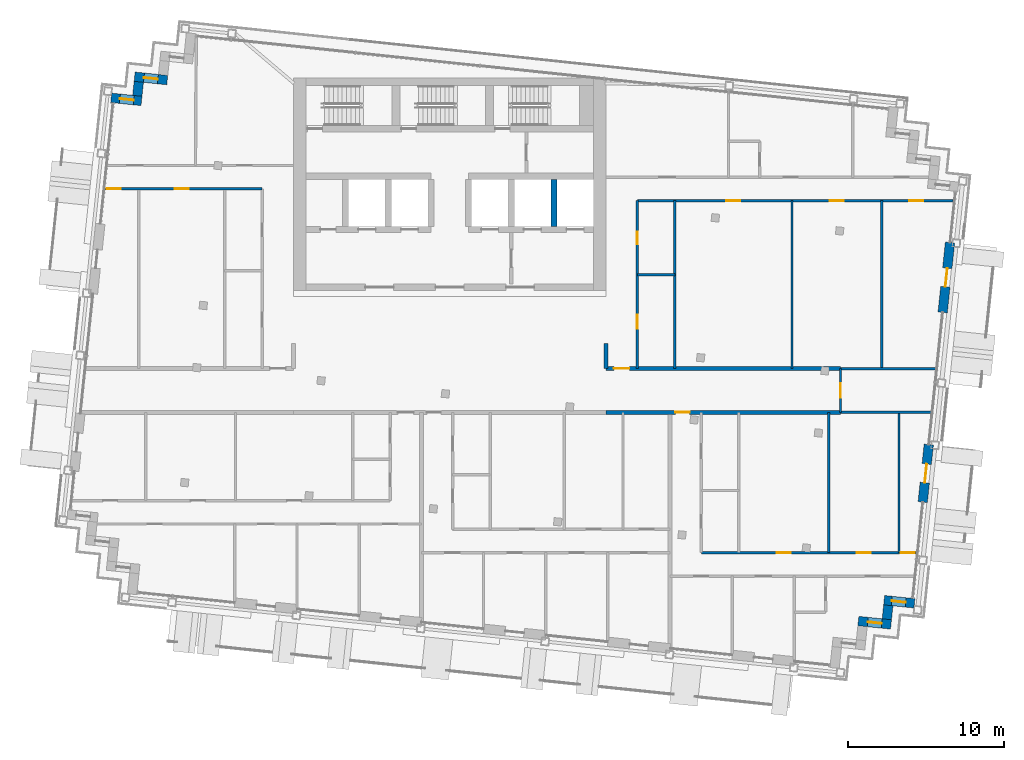
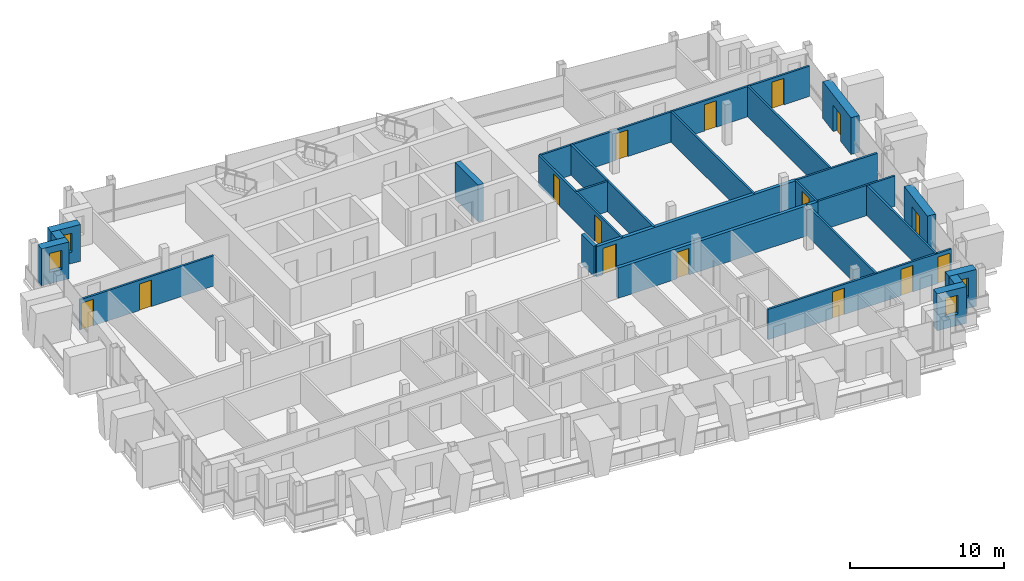
# One storey, part 11 of 17: 25 walls, 15 doors, 4 windows, 19 openings.
"""IFC4 building model written with IfcOpenShell, lengths in metres."""

from ifc_helpers import new_model, si_unit, direction, frame, frame_2d, origin, place, context, subcontext, project, spatial, rectangle, extrude, material, layer, layer_set, type_object, element, fill, save


model = new_model("IFC4")

# Units and contexts
model_context = context("Model", 3, precision=1e-05, world=origin(), true_north=direction((0.0, 1.0)))
body_context = subcontext(model_context, "Body", "Model", "MODEL_VIEW")
ifc_project = project(units=[si_unit("LENGTHUNIT", "METRE"), si_unit("AREAUNIT", "SQUARE_METRE"), si_unit("VOLUMEUNIT", "CUBIC_METRE"), si_unit("PLANEANGLEUNIT", "RADIAN"), si_unit("MASSUNIT", "GRAM", prefix="KILO")], contexts=[model_context])

# Site, building, storey
site_placement = place(None, origin())
site = spatial("IfcSite", under=ifc_project, at=site_placement, CompositionType="ELEMENT")
building_placement = place(site_placement, origin())
building = spatial("IfcBuilding", under=site, at=building_placement, Name="Vidyagriha Tower", CompositionType="ELEMENT")
storey_placement = place(building_placement, frame((0.0, 0.0, 269.10009765625)))
storey = spatial("IfcBuildingStorey", under=building, at=storey_placement, Name="L70", CompositionType="ELEMENT", Elevation=269.10009765625)

# Wall, opening, window
ifc_material_1 = material(Name="Precast concrete C40/50 with brick facing", Category="concrete")
ifc_layer_1 = layer(ifc_material_1, 0.60009765625)
ifc_layer_set_1 = layer_set([ifc_layer_1], Name="Precast concrete C40/50 with brick facing")
wall_type_1 = type_object("IfcWallType", Name="Brick-faced precast wall 600", PredefinedType="STANDARD", material=ifc_layer_set_1)
wall_1_placement = place(storey_placement, frame((-18.077392578125, 19.859130859375, 0.0), z_axis=(0.0, 0.0, 1.0), x_axis=(-0.994522640205, 0.104521376379, 0.0)))
wall_1 = element("IfcWall", 1, at=wall_1_placement, inside=storey, type_object=wall_type_1, Name="Stepped corner wall L70 R11", PredefinedType="STANDARD", context=body_context, shape_type="SweptSolid", body=[
    extrude(rectangle(XDim=2.099853515625, YDim=0.60009765625, at=frame_2d((1.0498046875, 0.0))), origin(), (0.0, 0.0, 1.0), 2.919921875),
])
opening_1_placement = place(wall_1_placement, frame((0.60009765625, 0.0, 0.89990234375)))
opening_1 = element("IfcOpeningElement", 2, at=opening_1_placement, cuts=wall_1, Name="Opening WN1", PredefinedType="OPENING", context=body_context, shape_type="SweptSolid", body=[
    extrude(rectangle(XDim=0.89990234375, YDim=1.5, at=frame_2d((0.449951171875, 0.75))), frame((0.0, 0.31005859375, 0.0), z_axis=(0.0, -1.0, 0.0), x_axis=(1.0, 0.0, 0.0)), (0.0, 0.0, 1.0), 0.6201171875),
])
ifc_material_2 = material(Name="Aluminium and glass window", Category="aluminium")
window_type = type_object("IfcWindowType", Name="Reveal window 900x1500", PartitioningType="NOTDEFINED", PredefinedType="WINDOW", material=ifc_material_2)
window_1_placement = place(opening_1_placement, origin())
window_1 = element("IfcWindow", 3, at=window_1_placement, inside=storey, type_object=window_type, Name="Reveal window L70 R11", OverallHeight=1.5, OverallWidth=0.89990234375, PartitioningType="SINGLE_PANEL", PredefinedType="WINDOW", context=body_context, shape_type="SweptSolid", body=[
    extrude(rectangle(XDim=0.89990234375, YDim=1.5, at=frame_2d((0.449951171875, 0.75))), frame((0.0, 0.030029296875, 0.0), z_axis=(0.0, -1.0, 0.0), x_axis=(1.0, 0.0, 0.0)), (0.0, 0.0, 1.0), 0.06005859375),
])
fill(opening_1, window_1)

# Wall
wall_2_placement = place(storey_placement, frame((-19.898681640625, 19.748779296875, 0.0), z_axis=(0.0, 0.0, 1.0), x_axis=(-0.104741284723, -0.994499503909, 0.0)))
element("IfcWall", 4, at=wall_2_placement, inside=storey, type_object=wall_type_1, Name="Stepped corner wall L70 R12", PredefinedType="STANDARD", context=body_context, shape_type="SweptSolid", body=[
    extrude(rectangle(XDim=0.899658203125, YDim=0.60009765625, at=frame_2d((0.44970703125, 0.0))), origin(), (0.0, 0.0, 1.0), 2.919921875),
])

# Wall, opening, window
wall_3_placement = place(storey_placement, frame((-19.725830078125, 18.5244140625, 0.0), z_axis=(0.0, 0.0, 1.0), x_axis=(-0.994534226826, 0.104411070641, 0.0)))
wall_3 = element("IfcWall", 5, at=wall_3_placement, inside=storey, type_object=wall_type_1, Name="Stepped corner wall L70 R13", PredefinedType="STANDARD", context=body_context, shape_type="SweptSolid", body=[
    extrude(rectangle(XDim=1.9501953125, YDim=0.60009765625, at=frame_2d((0.97509765625, 0.0))), origin(), (0.0, 0.0, 1.0), 2.919921875),
])
opening_2_placement = place(wall_3_placement, frame((0.489990234375, 0.0, 0.89990234375)))
opening_2 = element("IfcOpeningElement", 6, at=opening_2_placement, cuts=wall_3, Name="Opening WN1", PredefinedType="OPENING", context=body_context, shape_type="SweptSolid", body=[
    extrude(rectangle(XDim=0.89990234375, YDim=1.5, at=frame_2d((0.449951171875, 0.75))), frame((0.0, 0.31005859375, 0.0), z_axis=(0.0, -1.0, 0.0), x_axis=(1.0, 0.0, 0.0)), (0.0, 0.0, 1.0), 0.6201171875),
])
window_2_placement = place(opening_2_placement, origin())
window_2 = element("IfcWindow", 7, at=window_2_placement, inside=storey, type_object=window_type, Name="Reveal window L70 R13", OverallHeight=1.5, OverallWidth=0.89990234375, PartitioningType="SINGLE_PANEL", PredefinedType="WINDOW", context=body_context, shape_type="SweptSolid", body=[
    extrude(rectangle(XDim=0.89990234375, YDim=1.5, at=frame_2d((0.449951171875, 0.75))), frame((0.0, 0.030029296875, 0.0), z_axis=(0.0, -1.0, 0.0), x_axis=(1.0, 0.0, 0.0)), (0.0, 0.0, 1.0), 0.06005859375),
])
fill(opening_2, window_2)

wall_4_placement = place(storey_placement, frame((26.147216796875, -14.753173828125, 0.0), z_axis=(0.0, 0.0, 1.0), x_axis=(0.994522640205, -0.104521376379, 0.0)))
wall_4 = element("IfcWall", 8, at=wall_4_placement, inside=storey, type_object=wall_type_1, Name="Stepped corner wall L70 R25", PredefinedType="STANDARD", context=body_context, shape_type="SweptSolid", body=[
    extrude(rectangle(XDim=2.099853515625, YDim=0.60009765625, at=frame_2d((1.0498046875, 0.0))), origin(), (0.0, 0.0, 1.0), 2.919921875),
])
opening_3_placement = place(wall_4_placement, frame((0.599853515625, 0.0, 0.89990234375)))
opening_3 = element("IfcOpeningElement", 9, at=opening_3_placement, cuts=wall_4, Name="Opening WN1", PredefinedType="OPENING", context=body_context, shape_type="SweptSolid", body=[
    extrude(rectangle(XDim=0.89990234375, YDim=1.5, at=frame_2d((0.449951171875, 0.75))), frame((0.0, 0.31005859375, 0.0), z_axis=(0.0, -1.0, 0.0), x_axis=(1.0, 0.0, 0.0)), (0.0, 0.0, 1.0), 0.6201171875),
])
window_3_placement = place(opening_3_placement, origin())
window_3 = element("IfcWindow", 10, at=window_3_placement, inside=storey, type_object=window_type, Name="Reveal window L70 R25", OverallHeight=1.5, OverallWidth=0.89990234375, PartitioningType="SINGLE_PANEL", PredefinedType="WINDOW", context=body_context, shape_type="SweptSolid", body=[
    extrude(rectangle(XDim=0.89990234375, YDim=1.5, at=frame_2d((0.449951171875, 0.75))), frame((0.0, 0.030029296875, 0.0), z_axis=(0.0, -1.0, 0.0), x_axis=(1.0, 0.0, 0.0)), (0.0, 0.0, 1.0), 0.06005859375),
])
fill(opening_3, window_3)

# Wall
wall_5_placement = place(storey_placement, frame((27.968505859375, -14.64306640625, 0.0), z_axis=(0.0, 0.0, 1.0), x_axis=(0.104416541099, 0.994533652495, 0.0)))
element("IfcWall", 11, at=wall_5_placement, inside=storey, type_object=wall_type_1, Name="Stepped corner wall L70 R26", PredefinedType="STANDARD", context=body_context, shape_type="SweptSolid", body=[
    extrude(rectangle(XDim=0.900146484375, YDim=0.60009765625, at=frame_2d((0.4501953125, 0.0))), origin(), (0.0, 0.0, 1.0), 2.919921875),
])

# Wall, opening, window
wall_6_placement = place(storey_placement, frame((27.795654296875, -13.418212890625, 0.0), z_axis=(0.0, 0.0, 1.0), x_axis=(0.994519850893, -0.104547913319, 0.0)))
wall_6 = element("IfcWall", 12, at=wall_6_placement, inside=storey, type_object=wall_type_1, Name="Stepped corner wall L70 R27", PredefinedType="STANDARD", context=body_context, shape_type="SweptSolid", body=[
    extrude(rectangle(XDim=1.949951171875, YDim=0.60009765625, at=frame_2d((0.97509765625, 0.0))), origin(), (0.0, 0.0, 1.0), 2.919921875),
])
opening_4_placement = place(wall_6_placement, frame((0.489990234375, 0.0, 0.89990234375)))
opening_4 = element("IfcOpeningElement", 13, at=opening_4_placement, cuts=wall_6, Name="Opening WN1", PredefinedType="OPENING", context=body_context, shape_type="SweptSolid", body=[
    extrude(rectangle(XDim=0.89990234375, YDim=1.5, at=frame_2d((0.449951171875, 0.75))), frame((0.0, 0.31005859375, 0.0), z_axis=(0.0, -1.0, 0.0), x_axis=(1.0, 0.0, 0.0)), (0.0, 0.0, 1.0), 0.6201171875),
])
window_4_placement = place(opening_4_placement, origin())
window_4 = element("IfcWindow", 14, at=window_4_placement, inside=storey, type_object=window_type, Name="Reveal window L70 R27", OverallHeight=1.5, OverallWidth=0.89990234375, PartitioningType="SINGLE_PANEL", PredefinedType="WINDOW", context=body_context, shape_type="SweptSolid", body=[
    extrude(rectangle(XDim=0.89990234375, YDim=1.5, at=frame_2d((0.449951171875, 0.75))), frame((0.0, 0.030029296875, 0.0), z_axis=(0.0, -1.0, 0.0), x_axis=(1.0, 0.0, 0.0)), (0.0, 0.0, 1.0), 0.06005859375),
])
fill(opening_4, window_4)

# Wall, opening, door
wall_7_placement = place(storey_placement, frame((30.26513671875, -7.14208984375, 0.0), z_axis=(0.0, 0.0, 1.0), x_axis=(0.104513052986, 0.994523514933, 0.0)))
wall_7 = element("IfcWall", 15, at=wall_7_placement, inside=storey, type_object=wall_type_1, Name="Brick door bay wall L70 R28.3", PredefinedType="STANDARD", context=body_context, shape_type="SweptSolid", body=[
    extrude(rectangle(XDim=3.7001953125, YDim=0.60009765625, at=frame_2d((1.85009765625, 0.0))), origin(), (0.0, 0.0, 1.0), 2.919921875),
])
opening_5_placement = place(wall_7_placement, frame((1.25, 0.0, 0.0)))
opening_5 = element("IfcOpeningElement", 16, at=opening_5_placement, cuts=wall_7, Name="Opening D70-65", PredefinedType="OPENING", context=body_context, shape_type="SweptSolid", body=[
    extrude(rectangle(XDim=1.199951171875, YDim=2.10009765625, at=frame_2d((0.60009765625, 1.050048828125))), frame((0.0, 0.31005859375, 0.0), z_axis=(0.0, -1.0, 0.0), x_axis=(1.0, 0.0, 0.0)), (0.0, 0.0, 1.0), 0.6201171875),
])
ifc_material_3 = material(Name="Aluminium framed glazed sliding door", Category="aluminium")
door_type_1 = type_object("IfcDoorType", Name="Balcony sliding door 1200x2100", OperationType="NOTDEFINED", PredefinedType="DOOR", material=ifc_material_3)
door_1_placement = place(opening_5_placement, origin())
door_1 = element("IfcDoor", 17, at=door_1_placement, inside=storey, type_object=door_type_1, Name="Door D70-65", OperationType="SLIDING_TO_LEFT", OverallHeight=2.10009765625, OverallWidth=1.199951171875, PredefinedType="DOOR", context=body_context, shape_type="SweptSolid", body=[
    extrude(rectangle(XDim=1.199951171875, YDim=2.10009765625, at=frame_2d((0.60009765625, 1.050048828125))), frame((0.0, 0.02490234375, 0.0), z_axis=(0.0, -1.0, 0.0), x_axis=(1.0, 0.0, 0.0)), (0.0, 0.0, 1.0), 0.050048828125),
])
fill(opening_5, door_1)

wall_8_placement = place(storey_placement, frame((31.540283203125, 4.9912109375, 0.0), z_axis=(0.0, 0.0, 1.0), x_axis=(0.104546400045, 0.994520009974, 0.0)))
wall_8 = element("IfcWall", 18, at=wall_8_placement, inside=storey, type_object=wall_type_1, Name="Brick door bay wall L70 R28.6", PredefinedType="STANDARD", context=body_context, shape_type="SweptSolid", body=[
    extrude(rectangle(XDim=4.5, YDim=0.60009765625, at=frame_2d((2.25, 0.0))), origin(), (0.0, 0.0, 1.0), 2.919921875),
])
opening_6_placement = place(wall_8_placement, frame((1.64990234375, 0.0, 0.0)))
opening_6 = element("IfcOpeningElement", 19, at=opening_6_placement, cuts=wall_8, Name="Opening D70-66", PredefinedType="OPENING", context=body_context, shape_type="SweptSolid", body=[
    extrude(rectangle(XDim=1.199951171875, YDim=2.10009765625, at=frame_2d((0.60009765625, 1.050048828125))), frame((0.0, 0.31005859375, 0.0), z_axis=(0.0, -1.0, 0.0), x_axis=(1.0, 0.0, 0.0)), (0.0, 0.0, 1.0), 0.6201171875),
])
door_2_placement = place(opening_6_placement, origin())
door_2 = element("IfcDoor", 20, at=door_2_placement, inside=storey, type_object=door_type_1, Name="Door D70-66", OperationType="SLIDING_TO_LEFT", OverallHeight=2.10009765625, OverallWidth=1.199951171875, PredefinedType="DOOR", context=body_context, shape_type="SweptSolid", body=[
    extrude(rectangle(XDim=1.199951171875, YDim=2.10009765625, at=frame_2d((0.60009765625, 1.050048828125))), frame((0.0, 0.02490234375, 0.0), z_axis=(0.0, -1.0, 0.0), x_axis=(1.0, 0.0, 0.0)), (0.0, 0.0, 1.0), 0.050048828125),
])
fill(opening_6, door_2)

# Wall
ifc_material_4 = material(Name="Concrete C60/75", Category="concrete")
ifc_layer_2 = layer(ifc_material_4, 0.39990234375)
ifc_layer_set_2 = layer_set([ifc_layer_2], Name="Concrete C60/75")
wall_type_2 = type_object("IfcWallType", Name="Core shear wall 400 mm", PredefinedType="SHEAR", material=ifc_layer_set_2)
wall_9_placement = place(storey_placement, frame((6.666748046875, 10.5, 0.0), z_axis=(0.0, 0.0, 1.0), x_axis=(0.0, 1.0, 0.0)))
element("IfcWall", 21, at=wall_9_placement, inside=storey, type_object=wall_type_2, Name="Core bay wall N6", PredefinedType="SHEAR", context=body_context, shape_type="SweptSolid", body=[
    extrude(rectangle(XDim=3.0, YDim=0.39990234375, at=frame_2d((1.5, 0.0))), origin(), (0.0, 0.0, 1.0), 2.919921875),
])

# Wall, opening, door
ifc_material_5 = material(Name="Fired clay brick masonry", Category="masonry")
ifc_layer_3 = layer(ifc_material_5, 0.25)
ifc_layer_set_3 = layer_set([ifc_layer_3], Name="Fired clay brick masonry")
wall_type_3 = type_object("IfcWallType", Name="Fired clay brick corridor wall 250", PredefinedType="PARTITIONING", material=ifc_layer_set_3)
wall_10_placement = place(storey_placement, frame((25.0, -1.39990234375, 0.0), z_axis=(0.0, 0.0, 1.0), x_axis=(-1.0, 0.0, 0.0)))
wall_10 = element("IfcWall", 22, at=wall_10_placement, inside=storey, type_object=wall_type_3, Name="Wall all-L70-w065", PredefinedType="PARTITIONING", context=body_context, shape_type="SweptSolid", body=[
    extrude(rectangle(XDim=15.0, YDim=0.25, at=frame_2d((7.5, 0.0))), origin(), (0.0, 0.0, 1.0), 2.39990234375),
])
opening_7_placement = place(wall_10_placement, frame((9.657958984375, 0.0, 0.0)))
opening_7 = element("IfcOpeningElement", 23, at=opening_7_placement, cuts=wall_10, Name="Opening D70-39", PredefinedType="OPENING", context=body_context, shape_type="SweptSolid", body=[
    extrude(rectangle(XDim=0.89990234375, YDim=2.10009765625, at=frame_2d((0.449951171875, 1.050048828125))), frame((0.0, 0.135009765625, 0.0), z_axis=(0.0, -1.0, 0.0), x_axis=(1.0, 0.0, 0.0)), (0.0, 0.0, 1.0), 0.27001953125),
])
ifc_material_6 = material(Name="Fire-rated timber door leaf EI 60", Category="wood")
door_type_2 = type_object("IfcDoorType", Name="Flat entrance fire door 900x2100", OperationType="NOTDEFINED", PredefinedType="DOOR", material=ifc_material_6)
door_3_placement = place(opening_7_placement, origin())
door_3 = element("IfcDoor", 24, at=door_3_placement, inside=storey, type_object=door_type_2, Name="Door D70-39", OperationType="SINGLE_SWING_RIGHT", OverallHeight=2.10009765625, OverallWidth=0.89990234375, PredefinedType="DOOR", context=body_context, shape_type="SweptSolid", body=[
    extrude(rectangle(XDim=0.89990234375, YDim=2.10009765625, at=frame_2d((0.449951171875, 1.050048828125))), frame((0.0, 0.02490234375, 0.0), z_axis=(0.0, -1.0, 0.0), x_axis=(1.0, 0.0, 0.0)), (0.0, 0.0, 1.0), 0.050048828125),
])
fill(opening_7, door_3)

wall_11_placement = place(storey_placement, frame((10.0, 1.39990234375, 0.0)))
wall_11 = element("IfcWall", 25, at=wall_11_placement, inside=storey, type_object=wall_type_3, Name="Wall all-L70-w103", PredefinedType="PARTITIONING", context=body_context, shape_type="SweptSolid", body=[
    extrude(rectangle(XDim=15.0, YDim=0.25, at=frame_2d((7.5, 0.0))), origin(), (0.0, 0.0, 1.0), 2.39990234375),
])
opening_8_placement = place(wall_11_placement, frame((0.5, 0.0, 0.0)))
opening_8 = element("IfcOpeningElement", 26, at=opening_8_placement, cuts=wall_11, Name="Opening D70-56", PredefinedType="OPENING", context=body_context, shape_type="SweptSolid", body=[
    extrude(rectangle(XDim=1.0, YDim=2.10009765625, at=frame_2d((0.5, 1.050048828125))), frame((0.0, 0.135009765625, 0.0), z_axis=(0.0, -1.0, 0.0), x_axis=(1.0, 0.0, 0.0)), (0.0, 0.0, 1.0), 0.27001953125),
])
ifc_material_7 = material(Name="Fire-rated timber door leaf EI 60", Category="wood")
door_type_3 = type_object("IfcDoorType", Name="Flat entrance fire door 1000x2100", OperationType="NOTDEFINED", PredefinedType="DOOR", material=ifc_material_7)
door_4_placement = place(opening_8_placement, origin())
door_4 = element("IfcDoor", 27, at=door_4_placement, inside=storey, type_object=door_type_3, Name="Door D70-56", OperationType="SINGLE_SWING_LEFT", OverallHeight=2.10009765625, OverallWidth=1.0, PredefinedType="DOOR", context=body_context, shape_type="SweptSolid", body=[
    extrude(rectangle(XDim=1.0, YDim=2.10009765625, at=frame_2d((0.5, 1.050048828125))), frame((0.0, 0.02490234375, 0.0), z_axis=(0.0, -1.0, 0.0), x_axis=(1.0, 0.0, 0.0)), (0.0, 0.0, 1.0), 0.050048828125),
])
fill(opening_8, door_4)

# Walls
wall_12_placement = place(storey_placement, frame((10.0, 1.39990234375, 0.0), z_axis=(0.0, 0.0, 1.0), x_axis=(0.0, 1.0, 0.0)))
element("IfcWall", 28, at=wall_12_placement, inside=storey, type_object=wall_type_3, Name="Wall all-L70-w109", PredefinedType="PARTITIONING", context=body_context, shape_type="SweptSolid", body=[
    extrude(rectangle(XDim=1.60009765625, YDim=0.25, at=frame_2d((0.800048828125, 0.0))), origin(), (0.0, 0.0, 1.0), 2.39990234375),
])
ifc_material_8 = material(Name="Gypsum board partition")
ifc_layer_4 = layer(ifc_material_8, 0.14990234375)
ifc_layer_set_4 = layer_set([ifc_layer_4], Name="Gypsum board partition")
wall_type_4 = type_object("IfcWallType", Name="Gypsum board partition 150", PredefinedType="PARTITIONING", material=ifc_layer_set_4)
for number, where, z_axis, x_axis, name in (
    (29, (24.248046875, -1.39990234375, 0.0), (0.0, 0.0, 1.0), (0.0, -1.0, 0.0), "Wall all-L70-w047"),
    (30, (28.748046875, -1.39990234375, 0.0), (0.0, 0.0, 1.0), (0.0, -1.0, 0.0), "Wall all-L70-w048"),
):
    element("IfcWall", number, at=place(storey_placement, frame(where, z_axis=z_axis, x_axis=x_axis)), inside=storey, type_object=wall_type_4, Name=name, PredefinedType="PARTITIONING", context=body_context, shape_type="SweptSolid", body=[
        extrude(rectangle(XDim=8.981689453125, YDim=0.14990234375, at=frame_2d((4.49072265625, 0.0))), origin(), (0.0, 0.0, 1.0), 2.39990234375),
    ])

# Wall, openings, doors
wall_13_placement = place(storey_placement, frame((16.097900390625, -10.381591796875, 0.0)))
wall_13 = element("IfcWall", 31, at=wall_13_placement, inside=storey, type_object=wall_type_4, Name="Wall all-L70-w049", PredefinedType="PARTITIONING", context=body_context, shape_type="SweptSolid", body=[
    extrude(rectangle(XDim=13.747314453125, YDim=0.14990234375, at=frame_2d((6.87353515625, 0.0))), origin(), (0.0, 0.0, 1.0), 2.39990234375),
])
opening_9_placement = place(wall_13_placement, frame((4.824951171875, 0.0, 0.0)))
opening_9 = element("IfcOpeningElement", 32, at=opening_9_placement, cuts=wall_13, Name="Opening D70-32", PredefinedType="OPENING", context=body_context, shape_type="SweptSolid", body=[
    extrude(rectangle(XDim=0.89990234375, YDim=2.10009765625, at=frame_2d((0.449951171875, 1.050048828125))), frame((0.0, 0.0849609375, 0.0), z_axis=(0.0, -1.0, 0.0), x_axis=(1.0, 0.0, 0.0)), (0.0, 0.0, 1.0), 0.169921875),
])
opening_10_placement = place(wall_13_placement, frame((9.949951171875, 0.0, 0.0)))
opening_10 = element("IfcOpeningElement", 33, at=opening_10_placement, cuts=wall_13, Name="Opening D70-33", PredefinedType="OPENING", context=body_context, shape_type="SweptSolid", body=[
    extrude(rectangle(XDim=0.89990234375, YDim=2.10009765625, at=frame_2d((0.449951171875, 1.050048828125))), frame((0.0, 0.0849609375, 0.0), z_axis=(0.0, -1.0, 0.0), x_axis=(1.0, 0.0, 0.0)), (0.0, 0.0, 1.0), 0.169921875),
])
opening_11_placement = place(wall_13_placement, frame((12.747314453125, 0.0, 0.0)))
opening_11 = element("IfcOpeningElement", 34, at=opening_11_placement, cuts=wall_13, Name="Opening D70-34", PredefinedType="OPENING", context=body_context, shape_type="SweptSolid", body=[
    extrude(rectangle(XDim=0.89990234375, YDim=2.10009765625, at=frame_2d((0.449951171875, 1.050048828125))), frame((0.0, 0.0849609375, 0.0), z_axis=(0.0, -1.0, 0.0), x_axis=(1.0, 0.0, 0.0)), (0.0, 0.0, 1.0), 0.169921875),
])
ifc_material_9 = material(Name="Timber door leaf", Category="wood")
door_type_4 = type_object("IfcDoorType", Name="Room door 900x2100", OperationType="NOTDEFINED", PredefinedType="DOOR", material=ifc_material_9)
door_5_placement = place(opening_9_placement, origin())
door_5 = element("IfcDoor", 35, at=door_5_placement, inside=storey, type_object=door_type_4, Name="Door D70-32", OperationType="SINGLE_SWING_RIGHT", OverallHeight=2.10009765625, OverallWidth=0.89990234375, PredefinedType="DOOR", context=body_context, shape_type="SweptSolid", body=[
    extrude(rectangle(XDim=0.89990234375, YDim=2.10009765625, at=frame_2d((0.449951171875, 1.050048828125))), frame((0.0, 0.02490234375, 0.0), z_axis=(0.0, -1.0, 0.0), x_axis=(1.0, 0.0, 0.0)), (0.0, 0.0, 1.0), 0.050048828125),
])
fill(opening_9, door_5)
door_6_placement = place(opening_10_placement, origin())
door_6 = element("IfcDoor", 36, at=door_6_placement, inside=storey, type_object=door_type_4, Name="Door D70-33", OperationType="SINGLE_SWING_RIGHT", OverallHeight=2.10009765625, OverallWidth=0.89990234375, PredefinedType="DOOR", context=body_context, shape_type="SweptSolid", body=[
    extrude(rectangle(XDim=0.89990234375, YDim=2.10009765625, at=frame_2d((0.449951171875, 1.050048828125))), frame((0.0, 0.02490234375, 0.0), z_axis=(0.0, -1.0, 0.0), x_axis=(1.0, 0.0, 0.0)), (0.0, 0.0, 1.0), 0.050048828125),
])
fill(opening_10, door_6)
door_7_placement = place(opening_11_placement, origin())
door_7 = element("IfcDoor", 37, at=door_7_placement, inside=storey, type_object=door_type_4, Name="Door D70-34", OperationType="SINGLE_SWING_LEFT", OverallHeight=2.10009765625, OverallWidth=0.89990234375, PredefinedType="DOOR", context=body_context, shape_type="SweptSolid", body=[
    extrude(rectangle(XDim=0.89990234375, YDim=2.10009765625, at=frame_2d((0.449951171875, 1.050048828125))), frame((0.0, 0.02490234375, 0.0), z_axis=(0.0, -1.0, 0.0), x_axis=(1.0, 0.0, 0.0)), (0.0, 0.0, 1.0), 0.050048828125),
])
fill(opening_11, door_7)

# Wall
wall_14_placement = place(storey_placement, frame((30.79833984375, -1.39990234375, 0.0), z_axis=(0.0, 0.0, 1.0), x_axis=(-1.0, 0.0, 0.0)))
element("IfcWall", 38, at=wall_14_placement, inside=storey, type_object=wall_type_4, Name="Wall all-L70-w066", PredefinedType="PARTITIONING", context=body_context, shape_type="SweptSolid", body=[
    extrude(rectangle(XDim=5.79833984375, YDim=0.14990234375, at=frame_2d((2.899169921875, 0.0))), origin(), (0.0, 0.0, 1.0), 2.39990234375),
])

# Wall, openings, doors
wall_15_placement = place(storey_placement, frame((-12.0, 12.89990234375, 0.0), z_axis=(0.0, 0.0, 1.0), x_axis=(-1.0, 0.0, 0.0)))
wall_15 = element("IfcWall", 39, at=wall_15_placement, inside=storey, type_object=wall_type_4, Name="Wall all-L70-w073", PredefinedType="PARTITIONING", context=body_context, shape_type="SweptSolid", body=[
    extrude(rectangle(XDim=10.04736328125, YDim=0.14990234375, at=frame_2d((5.023681640625, 0.0))), origin(), (0.0, 0.0, 1.0), 2.39990234375),
])
opening_12_placement = place(wall_15_placement, frame((4.699951171875, 0.0, 0.0)))
opening_12 = element("IfcOpeningElement", 40, at=opening_12_placement, cuts=wall_15, Name="Opening D70-42", PredefinedType="OPENING", context=body_context, shape_type="SweptSolid", body=[
    extrude(rectangle(XDim=0.89990234375, YDim=2.10009765625, at=frame_2d((0.449951171875, 1.050048828125))), frame((0.0, 0.0849609375, 0.0), z_axis=(0.0, -1.0, 0.0), x_axis=(1.0, 0.0, 0.0)), (0.0, 0.0, 1.0), 0.169921875),
])
opening_13_placement = place(wall_15_placement, frame((9.04736328125, 0.0, 0.0)))
opening_13 = element("IfcOpeningElement", 41, at=opening_13_placement, cuts=wall_15, Name="Opening D70-43", PredefinedType="OPENING", context=body_context, shape_type="SweptSolid", body=[
    extrude(rectangle(XDim=0.89990234375, YDim=2.10009765625, at=frame_2d((0.449951171875, 1.050048828125))), frame((0.0, 0.0849609375, 0.0), z_axis=(0.0, -1.0, 0.0), x_axis=(1.0, 0.0, 0.0)), (0.0, 0.0, 1.0), 0.169921875),
])
door_8_placement = place(opening_12_placement, origin())
door_8 = element("IfcDoor", 42, at=door_8_placement, inside=storey, type_object=door_type_4, Name="Door D70-42", OperationType="SINGLE_SWING_LEFT", OverallHeight=2.10009765625, OverallWidth=0.89990234375, PredefinedType="DOOR", context=body_context, shape_type="SweptSolid", body=[
    extrude(rectangle(XDim=0.89990234375, YDim=2.10009765625, at=frame_2d((0.449951171875, 1.050048828125))), frame((0.0, 0.02490234375, 0.0), z_axis=(0.0, -1.0, 0.0), x_axis=(1.0, 0.0, 0.0)), (0.0, 0.0, 1.0), 0.050048828125),
])
fill(opening_12, door_8)
door_9_placement = place(opening_13_placement, origin())
door_9 = element("IfcDoor", 43, at=door_9_placement, inside=storey, type_object=door_type_4, Name="Door D70-43", OperationType="SINGLE_SWING_RIGHT", OverallHeight=2.10009765625, OverallWidth=0.89990234375, PredefinedType="DOOR", context=body_context, shape_type="SweptSolid", body=[
    extrude(rectangle(XDim=0.89990234375, YDim=2.10009765625, at=frame_2d((0.449951171875, 1.050048828125))), frame((0.0, 0.02490234375, 0.0), z_axis=(0.0, -1.0, 0.0), x_axis=(1.0, 0.0, 0.0)), (0.0, 0.0, 1.0), 0.050048828125),
])
fill(opening_13, door_9)

# Walls
wall_16_placement = place(storey_placement, frame((12.0, 7.39990234375, 0.0)))
element("IfcWall", 44, at=wall_16_placement, inside=storey, type_object=wall_type_4, Name="Wall all-L70-w085", PredefinedType="PARTITIONING", context=body_context, shape_type="SweptSolid", body=[
    extrude(rectangle(XDim=2.39990234375, YDim=0.14990234375, at=frame_2d((1.199951171875, 0.0))), origin(), (0.0, 0.0, 1.0), 2.39990234375),
])
for number, where, z_axis, x_axis, name in (
    (45, (14.39990234375, 12.143310546875, 0.0), (0.0, 0.0, 1.0), (0.0, -1.0, 0.0), "Wall all-L70-w086"),
    (46, (21.89990234375, 12.143310546875, 0.0), (0.0, 0.0, 1.0), (0.0, -1.0, 0.0), "Wall all-L70-w087"),
    (47, (27.64990234375, 12.143310546875, 0.0), (0.0, 0.0, 1.0), (0.0, -1.0, 0.0), "Wall all-L70-w088"),
):
    element("IfcWall", number, at=place(storey_placement, frame(where, z_axis=z_axis, x_axis=x_axis)), inside=storey, type_object=wall_type_4, Name=name, PredefinedType="PARTITIONING", context=body_context, shape_type="SweptSolid", body=[
        extrude(rectangle(XDim=10.743408203125, YDim=0.14990234375, at=frame_2d((5.37158203125, 0.0))), origin(), (0.0, 0.0, 1.0), 2.39990234375),
    ])

# Wall, openings, doors
wall_17_placement = place(storey_placement, frame((32.212646484375, 12.143310546875, 0.0), z_axis=(0.0, 0.0, 1.0), x_axis=(-1.0, 0.0, 0.0)))
wall_17 = element("IfcWall", 48, at=wall_17_placement, inside=storey, type_object=wall_type_4, Name="Wall all-L70-w089", PredefinedType="PARTITIONING", context=body_context, shape_type="SweptSolid", body=[
    extrude(rectangle(XDim=20.212646484375, YDim=0.14990234375, at=frame_2d((10.1064453125, 0.0))), origin(), (0.0, 0.0, 1.0), 2.39990234375),
])
opening_14_placement = place(wall_17_placement, frame((13.61279296875, 0.0, 0.0)))
opening_14 = element("IfcOpeningElement", 49, at=opening_14_placement, cuts=wall_17, Name="Opening D70-49", PredefinedType="OPENING", context=body_context, shape_type="SweptSolid", body=[
    extrude(rectangle(XDim=0.89990234375, YDim=2.10009765625, at=frame_2d((0.449951171875, 1.050048828125))), frame((0.0, 0.0849609375, 0.0), z_axis=(0.0, -1.0, 0.0), x_axis=(1.0, 0.0, 0.0)), (0.0, 0.0, 1.0), 0.169921875),
])
opening_15_placement = place(wall_17_placement, frame((6.98779296875, 0.0, 0.0)))
opening_15 = element("IfcOpeningElement", 50, at=opening_15_placement, cuts=wall_17, Name="Opening D70-50", PredefinedType="OPENING", context=body_context, shape_type="SweptSolid", body=[
    extrude(rectangle(XDim=0.89990234375, YDim=2.10009765625, at=frame_2d((0.449951171875, 1.050048828125))), frame((0.0, 0.0849609375, 0.0), z_axis=(0.0, -1.0, 0.0), x_axis=(1.0, 0.0, 0.0)), (0.0, 0.0, 1.0), 0.169921875),
])
opening_16_placement = place(wall_17_placement, frame((1.9091796875, 0.0, 0.0)))
opening_16 = element("IfcOpeningElement", 51, at=opening_16_placement, cuts=wall_17, Name="Opening D70-51", PredefinedType="OPENING", context=body_context, shape_type="SweptSolid", body=[
    extrude(rectangle(XDim=0.89990234375, YDim=2.10009765625, at=frame_2d((0.449951171875, 1.050048828125))), frame((0.0, 0.0849609375, 0.0), z_axis=(0.0, -1.0, 0.0), x_axis=(1.0, 0.0, 0.0)), (0.0, 0.0, 1.0), 0.169921875),
])
door_10_placement = place(opening_14_placement, origin())
door_10 = element("IfcDoor", 52, at=door_10_placement, inside=storey, type_object=door_type_4, Name="Door D70-49", OperationType="SINGLE_SWING_RIGHT", OverallHeight=2.10009765625, OverallWidth=0.89990234375, PredefinedType="DOOR", context=body_context, shape_type="SweptSolid", body=[
    extrude(rectangle(XDim=0.89990234375, YDim=2.10009765625, at=frame_2d((0.449951171875, 1.050048828125))), frame((0.0, 0.02490234375, 0.0), z_axis=(0.0, -1.0, 0.0), x_axis=(1.0, 0.0, 0.0)), (0.0, 0.0, 1.0), 0.050048828125),
])
fill(opening_14, door_10)
door_11_placement = place(opening_15_placement, origin())
door_11 = element("IfcDoor", 53, at=door_11_placement, inside=storey, type_object=door_type_4, Name="Door D70-50", OperationType="SINGLE_SWING_RIGHT", OverallHeight=2.10009765625, OverallWidth=0.89990234375, PredefinedType="DOOR", context=body_context, shape_type="SweptSolid", body=[
    extrude(rectangle(XDim=0.89990234375, YDim=2.10009765625, at=frame_2d((0.449951171875, 1.050048828125))), frame((0.0, 0.02490234375, 0.0), z_axis=(0.0, -1.0, 0.0), x_axis=(1.0, 0.0, 0.0)), (0.0, 0.0, 1.0), 0.050048828125),
])
fill(opening_15, door_11)
door_12_placement = place(opening_16_placement, origin())
door_12 = element("IfcDoor", 54, at=door_12_placement, inside=storey, type_object=door_type_4, Name="Door D70-51", OperationType="SINGLE_SWING_LEFT", OverallHeight=2.10009765625, OverallWidth=0.89990234375, PredefinedType="DOOR", context=body_context, shape_type="SweptSolid", body=[
    extrude(rectangle(XDim=0.89990234375, YDim=2.10009765625, at=frame_2d((0.449951171875, 1.050048828125))), frame((0.0, 0.02490234375, 0.0), z_axis=(0.0, -1.0, 0.0), x_axis=(1.0, 0.0, 0.0)), (0.0, 0.0, 1.0), 0.050048828125),
])
fill(opening_16, door_12)

# Wall
wall_18_placement = place(storey_placement, frame((25.0, 1.39990234375, 0.0)))
element("IfcWall", 55, at=wall_18_placement, inside=storey, type_object=wall_type_4, Name="Wall all-L70-w104", PredefinedType="PARTITIONING", context=body_context, shape_type="SweptSolid", body=[
    extrude(rectangle(XDim=6.092529296875, YDim=0.14990234375, at=frame_2d((3.04638671875, 0.0))), origin(), (0.0, 0.0, 1.0), 2.39990234375),
])

# Wall, opening, door
wall_19_placement = place(storey_placement, frame((25.0, -1.39990234375, 0.0), z_axis=(0.0, 0.0, 1.0), x_axis=(0.0, 1.0, 0.0)))
wall_19 = element("IfcWall", 56, at=wall_19_placement, inside=storey, type_object=wall_type_4, Name="Wall all-L70-w105", PredefinedType="PARTITIONING", context=body_context, shape_type="SweptSolid", body=[
    extrude(rectangle(XDim=2.7998046875, YDim=0.14990234375, at=frame_2d((1.39990234375, 0.0))), origin(), (0.0, 0.0, 1.0), 2.39990234375),
])
opening_17_placement = place(wall_19_placement, frame((0.949951171875, 0.0, 0.0)))
opening_17 = element("IfcOpeningElement", 57, at=opening_17_placement, cuts=wall_19, Name="Opening D70-57", PredefinedType="OPENING", context=body_context, shape_type="SweptSolid", body=[
    extrude(rectangle(XDim=0.89990234375, YDim=2.10009765625, at=frame_2d((0.449951171875, 1.050048828125))), frame((0.0, 0.0849609375, 0.0), z_axis=(0.0, -1.0, 0.0), x_axis=(1.0, 0.0, 0.0)), (0.0, 0.0, 1.0), 0.169921875),
])
door_13_placement = place(opening_17_placement, origin())
door_13 = element("IfcDoor", 58, at=door_13_placement, inside=storey, type_object=door_type_4, Name="Door D70-57", OperationType="SINGLE_SWING_RIGHT", OverallHeight=2.10009765625, OverallWidth=0.89990234375, PredefinedType="DOOR", context=body_context, shape_type="SweptSolid", body=[
    extrude(rectangle(XDim=0.89990234375, YDim=2.10009765625, at=frame_2d((0.449951171875, 1.050048828125))), frame((0.0, 0.02490234375, 0.0), z_axis=(0.0, -1.0, 0.0), x_axis=(1.0, 0.0, 0.0)), (0.0, 0.0, 1.0), 0.050048828125),
])
fill(opening_17, door_13)

# Wall, openings, doors
ifc_material_10 = material(Name="Moisture resistant gypsum board partition")
ifc_layer_5 = layer(ifc_material_10, 0.14990234375)
ifc_layer_set_5 = layer_set([ifc_layer_5], Name="Moisture resistant gypsum board partition")
wall_type_5 = type_object("IfcWallType", Name="Gypsum board wet-area partition 150", PredefinedType="PARTITIONING", material=ifc_layer_set_5)
wall_20_placement = place(storey_placement, frame((12.0, 12.143310546875, 0.0), z_axis=(0.0, 0.0, 1.0), x_axis=(0.0, -1.0, 0.0)))
wall_20 = element("IfcWall", 59, at=wall_20_placement, inside=storey, type_object=wall_type_5, Name="Wall all-L70-w082", PredefinedType="PARTITIONING", context=body_context, shape_type="SweptSolid", body=[
    extrude(rectangle(XDim=10.743408203125, YDim=0.14990234375, at=frame_2d((5.37158203125, 0.0))), origin(), (0.0, 0.0, 1.0), 2.39990234375),
])
opening_18_placement = place(wall_20_placement, frame((7.29345703125, 0.0, 0.0)))
opening_18 = element("IfcOpeningElement", 60, at=opening_18_placement, cuts=wall_20, Name="Opening D70-47", PredefinedType="OPENING", context=body_context, shape_type="SweptSolid", body=[
    extrude(rectangle(XDim=0.89990234375, YDim=2.10009765625, at=frame_2d((0.449951171875, 1.050048828125))), frame((0.0, 0.0849609375, 0.0), z_axis=(0.0, -1.0, 0.0), x_axis=(1.0, 0.0, 0.0)), (0.0, 0.0, 1.0), 0.169921875),
])
opening_19_placement = place(wall_20_placement, frame((1.9716796875, 0.0, 0.0)))
opening_19 = element("IfcOpeningElement", 61, at=opening_19_placement, cuts=wall_20, Name="Opening D70-48", PredefinedType="OPENING", context=body_context, shape_type="SweptSolid", body=[
    extrude(rectangle(XDim=0.800048828125, YDim=2.10009765625, at=frame_2d((0.39990234375, 1.050048828125))), frame((0.0, 0.0849609375, 0.0), z_axis=(0.0, -1.0, 0.0), x_axis=(1.0, 0.0, 0.0)), (0.0, 0.0, 1.0), 0.169921875),
])
ifc_material_11 = material(Name="Timber door leaf", Category="wood")
door_type_5 = type_object("IfcDoorType", Name="Bathroom door 800x2100", OperationType="NOTDEFINED", PredefinedType="DOOR", material=ifc_material_11)
door_14_placement = place(opening_19_placement, origin())
door_14 = element("IfcDoor", 62, at=door_14_placement, inside=storey, type_object=door_type_5, Name="Door D70-48", OperationType="SINGLE_SWING_RIGHT", OverallHeight=2.10009765625, OverallWidth=0.800048828125, PredefinedType="DOOR", context=body_context, shape_type="SweptSolid", body=[
    extrude(rectangle(XDim=0.800048828125, YDim=2.10009765625, at=frame_2d((0.39990234375, 1.050048828125))), frame((0.0, 0.02490234375, 0.0), z_axis=(0.0, -1.0, 0.0), x_axis=(1.0, 0.0, 0.0)), (0.0, 0.0, 1.0), 0.050048828125),
])
fill(opening_19, door_14)
ifc_material_12 = material(Name="Timber door leaf", Category="wood")
door_type_6 = type_object("IfcDoorType", Name="Kitchen door 900x2100", OperationType="NOTDEFINED", PredefinedType="DOOR", material=ifc_material_12)
door_15_placement = place(opening_18_placement, origin())
door_15 = element("IfcDoor", 63, at=door_15_placement, inside=storey, type_object=door_type_6, Name="Door D70-47", OperationType="SINGLE_SWING_LEFT", OverallHeight=2.10009765625, OverallWidth=0.89990234375, PredefinedType="DOOR", context=body_context, shape_type="SweptSolid", body=[
    extrude(rectangle(XDim=0.89990234375, YDim=2.10009765625, at=frame_2d((0.449951171875, 1.050048828125))), frame((0.0, 0.02490234375, 0.0), z_axis=(0.0, -1.0, 0.0), x_axis=(1.0, 0.0, 0.0)), (0.0, 0.0, 1.0), 0.050048828125),
])
fill(opening_18, door_15)

save(model, "model.ifc")
